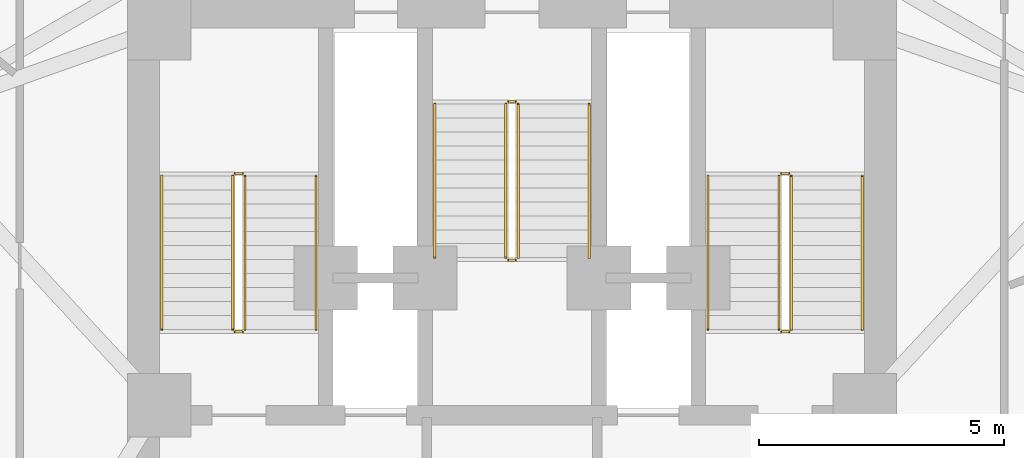
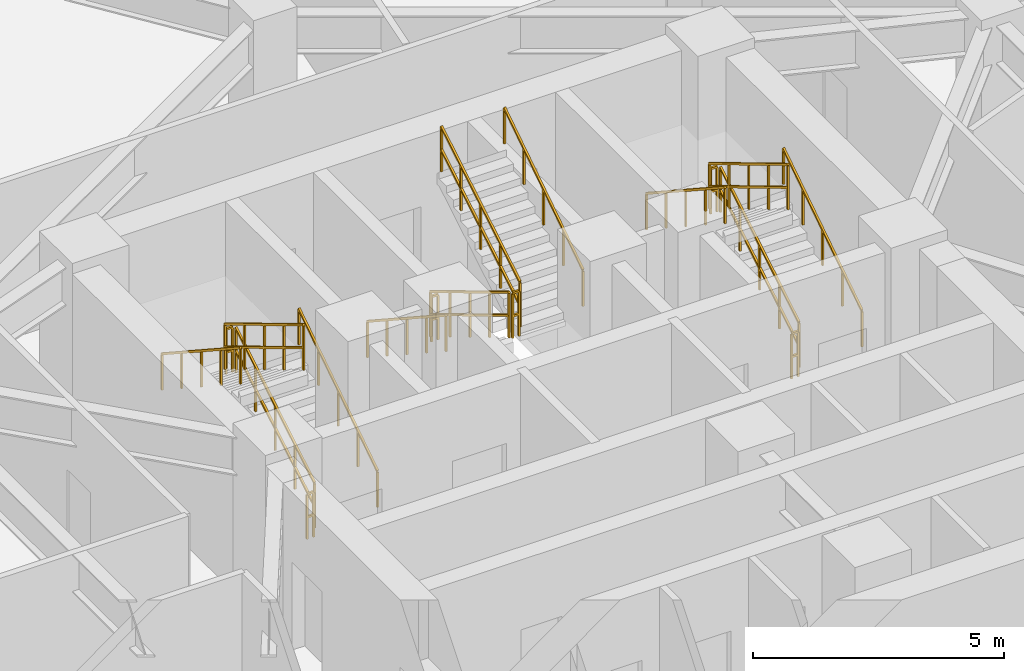
# One storey, part 10 of 11: 18 railings.
"""IFC4 building model written with IfcOpenShell, lengths in metres."""

import ifcopenshell
import ifcopenshell.guid

model = None  # the IFC model being written
_history = None  # IfcOwnerHistory: only IFC2X3 demands one
_inside = {}  # id of a spatial element -> (the spatial element, [elements in it])
_under = {}  # id of a project, library or spatial element -> (it, [spatial elements below it])
_declared = {}  # id of a project -> (the project, [libraries it declares])
_typed = {}  # id of a type object -> (the type object, [elements of that type])
_made_of = {}  # id of a material, layer set ... -> (it, [elements and type objects made of it])


def new_model(schema):
    """Start an empty IFC model of exactly this schema.

    Asked for "IFC4X3", IfcOpenShell would pick the latest addendum, in which some entities
    have other attributes; the version numbers below select the first issue.
    IFC2X3 requires an IfcOwnerHistory on every rooted entity: one is made here for all.
    """
    global model, _history
    if schema == "IFC4X3":
        model = ifcopenshell.file(schema_version=(4, 3, 0, 0))
    else:
        model = ifcopenshell.file(schema=schema)
    _inside.clear()
    _under.clear()
    _declared.clear()
    _typed.clear()
    _made_of.clear()
    _history = None
    if model.schema == "IFC2X3":
        org = make("IfcOrganization", Name="unknown")
        user = make(
            "IfcPersonAndOrganization",
            ThePerson=make("IfcPerson", FamilyName="unknown"),
            TheOrganization=org,
        )
        app = make(
            "IfcApplication",
            ApplicationDeveloper=org,
            Version="unknown",
            ApplicationFullName="unknown",
            ApplicationIdentifier="unknown",
        )
        _history = make(
            "IfcOwnerHistory",
            OwningUser=user,
            OwningApplication=app,
            ChangeAction="ADDED",
            CreationDate=0,
        )
    return model


def make(cls, **values):
    """One entity of the class cls with the attributes given. An attribute that is None is left unset."""
    return model.create_entity(
        cls, **{name: value for name, value in values.items() if value is not None}
    )


def rooted(cls, **values):
    """An entity with a GlobalId (a new one), such as an element, a storey or a relation."""
    return make(cls, GlobalId=ifcopenshell.guid.new(), OwnerHistory=_history, **values)


def si_unit(unit_type, name, prefix=None):
    """IfcSIUnit, for example si_unit("LENGTHUNIT", "METRE", prefix="MILLI")."""
    return make("IfcSIUnit", UnitType=unit_type, Prefix=prefix, Name=name)


def assignment(units):
    """IfcUnitAssignment: the units of a project."""
    return None if units is None else make("IfcUnitAssignment", Units=units)


def point(xyz):
    """IfcCartesianPoint."""
    return None if xyz is None else make("IfcCartesianPoint", Coordinates=xyz)


def direction(xyz):
    """IfcDirection."""
    return None if xyz is None else make("IfcDirection", DirectionRatios=xyz)


def frame(location, z_axis=None, x_axis=None):
    """IfcAxis2Placement3D, a coordinate frame: its origin and axes. An axis left out is left unset."""
    return make(
        "IfcAxis2Placement3D",
        Location=point(location),
        Axis=direction(z_axis),
        RefDirection=direction(x_axis),
    )


def frame_2d(location, x_axis=None):
    """IfcAxis2Placement2D, a coordinate frame in the plane: its origin and x axis."""
    return make(
        "IfcAxis2Placement2D", Location=point(location), RefDirection=direction(x_axis)
    )


def origin():
    """The frame at (0, 0, 0) with its axes left unset."""
    return frame((0.0, 0.0, 0.0))


def origin_2d():
    """The frame at (0, 0) in the plane with its x axis left unset."""
    return frame_2d((0.0, 0.0))


def place(relative_to, where):
    """IfcLocalPlacement: puts the frame where relative to a parent placement (None: the world)."""
    return make(
        "IfcLocalPlacement", PlacementRelTo=relative_to, RelativePlacement=where
    )


def context(
    kind, dimensions, precision=None, world=None, true_north=None, identifier=None
):
    """IfcGeometricRepresentationContext, for example the 3D "Model" context."""
    return make(
        "IfcGeometricRepresentationContext",
        ContextIdentifier=identifier,
        ContextType=kind,
        CoordinateSpaceDimension=dimensions,
        Precision=precision,
        WorldCoordinateSystem=world,
        TrueNorth=true_north,
    )


def subcontext(parent, identifier, kind, view, scale=None):
    """IfcGeometricRepresentationSubContext, for example "Body" below "Model"."""
    return make(
        "IfcGeometricRepresentationSubContext",
        ContextIdentifier=identifier,
        ContextType=kind,
        ParentContext=parent,
        TargetScale=scale,
        TargetView=view,
    )


def project(units=None, contexts=None):
    """IfcProject with its units and contexts."""
    return rooted(
        "IfcProject",
        Name="project",
        RepresentationContexts=contexts,
        UnitsInContext=assignment(units),
    )


def spatial(cls, under=None, at=None, **own):
    """A site, building, storey or space (cls), placed at a placement, below another one or the project."""
    s = rooted(cls, ObjectPlacement=at, **own)
    if under is not None:
        _under.setdefault(under.id(), (under, []))[1].append(s)
    return s


def profile(cls, at=None, kind="AREA", **sizes):
    """A parametric profile (cls). Its sizes go by their IFC names, for example OverallWidth=200.0."""
    return make(cls, ProfileType=kind, Position=at, **sizes)


def rectangle(**sizes):
    """IfcRectangleProfileDef."""
    return profile("IfcRectangleProfileDef", **sizes)


def extrude(swept, where, along, depth):
    """IfcExtrudedAreaSolid: the profile swept, set in the frame where, extruded along a direction by depth."""
    return make(
        "IfcExtrudedAreaSolid",
        SweptArea=swept,
        Position=where,
        ExtrudedDirection=direction(along),
        Depth=depth,
    )


def shape(context_of_items, identifier, shape_type, items):
    """IfcShapeRepresentation: the items that make up one representation, for example the "Body"."""
    return make(
        "IfcShapeRepresentation",
        ContextOfItems=context_of_items,
        RepresentationIdentifier=identifier,
        RepresentationType=shape_type,
        Items=items,
    )


def material(Name=None, Category=None):
    """IfcMaterial."""
    return make("IfcMaterial", Name=Name, Category=Category)


def made_of(thing, what):
    """Note that an element or type object is made of a material, layer set ...; save() writes the relation."""
    if what is not None:
        _made_of.setdefault(what.id(), (what, []))[1].append(thing)
    return thing


def type_object(cls, material=None, **own):
    """A type object (cls), such as IfcWallType, which elements share."""
    return made_of(rooted(cls, **own), material)


def element(
    cls,
    number,
    at=None,
    inside=None,
    cuts=None,
    type_object=None,
    material=None,
    context=None,
    identifier="Body",
    shape_type=None,
    held_by="IfcProductDefinitionShape",
    body=None,
    shapes=None,
    **own,
):
    """One element of the class cls, such as IfcWall. Its Tag is "e" and its number.

    at: its placement. inside: the storey or other place that contains it. cuts: it is an
    opening in that element (IfcRelVoidsElement). A single representation is given by context,
    identifier, shape_type and body (its items); several are given by shapes. held_by: the class
    of the entity that holds the representations. save() writes the other relations.
    """
    e = rooted(cls, Tag="e%d" % number, ObjectPlacement=at, **own)
    if body is not None:
        shapes = [shape(context, identifier, shape_type, body)]
    if shapes is not None:
        e.Representation = make(held_by, Representations=shapes)
    if inside is not None:
        _inside.setdefault(inside.id(), (inside, []))[1].append(e)
    if cuts is not None:
        rooted(
            "IfcRelVoidsElement", RelatingBuildingElement=cuts, RelatedOpeningElement=e
        )
    if type_object is not None:
        _typed.setdefault(type_object.id(), (type_object, []))[1].append(e)
    return made_of(e, material)


def aggregate(whole, parts):
    """IfcRelAggregates: a whole, such as a stair, and the parts it consists of."""
    return rooted("IfcRelAggregates", RelatingObject=whole, RelatedObjects=parts)


def save(model, path):
    """Write the relations noted so far, then the file.

    IfcRelAggregates (storeys below a building ...), IfcRelContainedInSpatialStructure (elements
    in a storey), IfcRelDefinesByType, IfcRelAssociatesMaterial and IfcRelDeclares: one each for
    every whole, place, type object, material and project.
    """
    for whole, parts in _under.values():
        aggregate(whole, parts)
    for where, things in _inside.values():
        rooted(
            "IfcRelContainedInSpatialStructure",
            RelatedElements=things,
            RelatingStructure=where,
        )
    for kind, things in _typed.values():
        rooted("IfcRelDefinesByType", RelatedObjects=things, RelatingType=kind)
    for what, things in _made_of.values():
        rooted("IfcRelAssociatesMaterial", RelatedObjects=things, RelatingMaterial=what)
    for by, libraries in _declared.values():
        rooted("IfcRelDeclares", RelatingContext=by, RelatedDefinitions=libraries)
    model.write(path)


model = new_model("IFC4")

# Units and contexts
model_context = context("Model", 3, precision=1e-05, world=origin(), true_north=direction((0.0, 1.0)))
body_context = subcontext(model_context, "Body", "Model", "MODEL_VIEW")
ifc_project = project(units=[si_unit("LENGTHUNIT", "METRE"), si_unit("AREAUNIT", "SQUARE_METRE"), si_unit("VOLUMEUNIT", "CUBIC_METRE"), si_unit("PLANEANGLEUNIT", "RADIAN"), si_unit("MASSUNIT", "GRAM", prefix="KILO")], contexts=[model_context])

# Site, building, storey
site_placement = place(None, origin())
site = spatial("IfcSite", under=ifc_project, at=site_placement, CompositionType="ELEMENT")
building_placement = place(site_placement, origin())
building = spatial("IfcBuilding", under=site, at=building_placement, Name="Apsidion Concourse Tower", CompositionType="ELEMENT")
storey_placement = place(building_placement, frame((0.0, 0.0, 186.0)))
storey = spatial("IfcBuildingStorey", under=building, at=storey_placement, Name="L43", CompositionType="ELEMENT", Elevation=186.0)

# Railings
ifc_material = material(Name="Brushed stainless steel 316", Category="steel")
railing_type_1 = type_object("IfcRailingType", Name="RL-GUARD-1100", PredefinedType="GUARDRAIL", material=ifc_material)
railing_1_placement = place(storey_placement, frame((-5.449951171875, 3.0, 0.1708984375)))
element("IfcRailing", 1, at=railing_1_placement, inside=storey, type_object=railing_type_1, Name="L43 ST1 stair guard 1", PredefinedType="GUARDRAIL", context=body_context, shape_type="SweptSolid", body=[
    extrude(rectangle(XDim=0.048095703125, YDim=0.048095703125, at=origin_2d()), frame((0.0, 0.0, 1.09619140625), z_axis=(0.0, 0.857716804754, 0.514122439544), x_axis=(-1.0, 0.0, 0.0)), (0.0, 0.0, 1.0), 3.655029296875),
    extrude(rectangle(XDim=0.048095703125, YDim=0.048095703125, at=origin_2d()), frame((0.0, 0.0, 0.5361328125), z_axis=(0.0, 0.857716804754, 0.514122439544), x_axis=(-1.0, 0.0, 0.0)), (0.0, 0.0, 1.0), 3.655029296875),
    extrude(rectangle(XDim=0.0419921875, YDim=0.0419921875, at=origin_2d()), origin(), (0.0, 0.0, 1.0), 1.072021484375),
    extrude(rectangle(XDim=0.0419921875, YDim=0.0419921875, at=origin_2d()), frame((0.0, 0.78369140625, 0.4697265625)), (0.0, 0.0, 1.0), 1.072021484375),
    extrude(rectangle(XDim=0.0419921875, YDim=0.0419921875, at=origin_2d()), frame((0.0, 1.5673828125, 0.939453125)), (0.0, 0.0, 1.0), 1.072021484375),
    extrude(rectangle(XDim=0.0419921875, YDim=0.0419921875, at=origin_2d()), frame((0.0, 2.351318359375, 1.409423828125)), (0.0, 0.0, 1.0), 1.072021484375),
    extrude(rectangle(XDim=0.0419921875, YDim=0.0419921875, at=origin_2d()), frame((0.0, 3.135009765625, 1.879150390625)), (0.0, 0.0, 1.0), 1.072021484375),
])
railing_2_placement = place(storey_placement, frame((-5.5, 6.18505859375, 2.050048828125)))
element("IfcRailing", 2, at=railing_2_placement, inside=storey, type_object=railing_type_1, Name="L43 ST1 stair guard 2", PredefinedType="GUARDRAIL", context=body_context, shape_type="SweptSolid", body=[
    extrude(rectangle(XDim=0.048095703125, YDim=0.048095703125, at=origin_2d()), frame((0.0, 0.0, 1.09619140625), z_axis=(-1.0, 0.0, 0.0), x_axis=(0.0, -1.0, 0.0)), (0.0, 0.0, 1.0), 0.14990234375),
    extrude(rectangle(XDim=0.048095703125, YDim=0.048095703125, at=origin_2d()), frame((0.0, 0.0, 0.5361328125), z_axis=(-1.0, 0.0, 0.0), x_axis=(0.0, -1.0, 0.0)), (0.0, 0.0, 1.0), 0.14990234375),
    extrude(rectangle(XDim=0.0419921875, YDim=0.0419921875, at=origin_2d()), origin(), (0.0, 0.0, 1.0), 1.072021484375),
    extrude(rectangle(XDim=0.0419921875, YDim=0.0419921875, at=origin_2d()), frame((-0.14990234375, 0.0, 0.0)), (0.0, 0.0, 1.0), 1.072021484375),
])
railing_3_placement = place(storey_placement, frame((-5.699951171875, 6.135009765625, 2.220947265625)))
element("IfcRailing", 3, at=railing_3_placement, inside=storey, type_object=railing_type_1, Name="L43 ST1 stair guard 3", PredefinedType="GUARDRAIL", context=body_context, shape_type="SweptSolid", body=[
    extrude(rectangle(XDim=0.048095703125, YDim=0.048095703125, at=origin_2d()), frame((0.0, 0.0, 1.09619140625), z_axis=(0.0, -0.857716804754, 0.514122439544), x_axis=(1.0, 0.0, 0.0)), (0.0, 0.0, 1.0), 3.655029296875),
    extrude(rectangle(XDim=0.048095703125, YDim=0.048095703125, at=origin_2d()), frame((0.0, 0.0, 0.5361328125), z_axis=(0.0, -0.857716804754, 0.514122439544), x_axis=(1.0, 0.0, 0.0)), (0.0, 0.0, 1.0), 3.655029296875),
    extrude(rectangle(XDim=0.0419921875, YDim=0.0419921875, at=origin_2d()), origin(), (0.0, 0.0, 1.0), 1.072021484375),
    extrude(rectangle(XDim=0.0419921875, YDim=0.0419921875, at=origin_2d()), frame((0.0, -0.78369140625, 0.4697265625)), (0.0, 0.0, 1.0), 1.072021484375),
    extrude(rectangle(XDim=0.0419921875, YDim=0.0419921875, at=origin_2d()), frame((0.0, -1.5673828125, 0.939453125)), (0.0, 0.0, 1.0), 1.072021484375),
    extrude(rectangle(XDim=0.0419921875, YDim=0.0419921875, at=origin_2d()), frame((0.0, -2.351318359375, 1.409423828125)), (0.0, 0.0, 1.0), 1.072021484375),
    extrude(rectangle(XDim=0.0419921875, YDim=0.0419921875, at=origin_2d()), frame((0.0, -3.135009765625, 1.879150390625)), (0.0, 0.0, 1.0), 1.072021484375),
])
railing_4_placement = place(storey_placement, frame((-5.5, 2.949951171875, 0.0)))
element("IfcRailing", 4, at=railing_4_placement, inside=storey, type_object=railing_type_1, Name="L43 ST1 stair guard 4", PredefinedType="GUARDRAIL", context=body_context, shape_type="SweptSolid", body=[
    extrude(rectangle(XDim=0.048095703125, YDim=0.048095703125, at=origin_2d()), frame((0.0, 0.0, 1.09619140625), z_axis=(-1.0, 0.0, 0.0), x_axis=(0.0, -1.0, 0.0)), (0.0, 0.0, 1.0), 0.14990234375),
    extrude(rectangle(XDim=0.048095703125, YDim=0.048095703125, at=origin_2d()), frame((0.0, 0.0, 0.5361328125), z_axis=(-1.0, 0.0, 0.0), x_axis=(0.0, -1.0, 0.0)), (0.0, 0.0, 1.0), 0.14990234375),
    extrude(rectangle(XDim=0.0419921875, YDim=0.0419921875, at=origin_2d()), origin(), (0.0, 0.0, 1.0), 1.072021484375),
    extrude(rectangle(XDim=0.0419921875, YDim=0.0419921875, at=origin_2d()), frame((-0.14990234375, 0.0, 0.0)), (0.0, 0.0, 1.0), 1.072021484375),
])
railing_5_placement = place(storey_placement, frame((5.699951171875, 3.0, 0.1708984375)))
element("IfcRailing", 5, at=railing_5_placement, inside=storey, type_object=railing_type_1, Name="L43 ST2 stair guard 1", PredefinedType="GUARDRAIL", context=body_context, shape_type="SweptSolid", body=[
    extrude(rectangle(XDim=0.048095703125, YDim=0.048095703125, at=origin_2d()), frame((0.0, 0.0, 1.09619140625), z_axis=(0.0, 0.857716804754, 0.514122439544), x_axis=(-1.0, 0.0, 0.0)), (0.0, 0.0, 1.0), 3.655029296875),
    extrude(rectangle(XDim=0.048095703125, YDim=0.048095703125, at=origin_2d()), frame((0.0, 0.0, 0.5361328125), z_axis=(0.0, 0.857716804754, 0.514122439544), x_axis=(-1.0, 0.0, 0.0)), (0.0, 0.0, 1.0), 3.655029296875),
    extrude(rectangle(XDim=0.0419921875, YDim=0.0419921875, at=origin_2d()), origin(), (0.0, 0.0, 1.0), 1.072021484375),
    extrude(rectangle(XDim=0.0419921875, YDim=0.0419921875, at=origin_2d()), frame((0.0, 0.78369140625, 0.4697265625)), (0.0, 0.0, 1.0), 1.072021484375),
    extrude(rectangle(XDim=0.0419921875, YDim=0.0419921875, at=origin_2d()), frame((0.0, 1.5673828125, 0.939453125)), (0.0, 0.0, 1.0), 1.072021484375),
    extrude(rectangle(XDim=0.0419921875, YDim=0.0419921875, at=origin_2d()), frame((0.0, 2.351318359375, 1.409423828125)), (0.0, 0.0, 1.0), 1.072021484375),
    extrude(rectangle(XDim=0.0419921875, YDim=0.0419921875, at=origin_2d()), frame((0.0, 3.135009765625, 1.879150390625)), (0.0, 0.0, 1.0), 1.072021484375),
])
railing_6_placement = place(storey_placement, frame((5.64990234375, 6.18505859375, 2.050048828125)))
element("IfcRailing", 6, at=railing_6_placement, inside=storey, type_object=railing_type_1, Name="L43 ST2 stair guard 2", PredefinedType="GUARDRAIL", context=body_context, shape_type="SweptSolid", body=[
    extrude(rectangle(XDim=0.048095703125, YDim=0.048095703125, at=origin_2d()), frame((0.0, 0.0, 1.09619140625), z_axis=(-1.0, 0.0, 0.0), x_axis=(0.0, -1.0, 0.0)), (0.0, 0.0, 1.0), 0.14990234375),
    extrude(rectangle(XDim=0.048095703125, YDim=0.048095703125, at=origin_2d()), frame((0.0, 0.0, 0.5361328125), z_axis=(-1.0, 0.0, 0.0), x_axis=(0.0, -1.0, 0.0)), (0.0, 0.0, 1.0), 0.14990234375),
    extrude(rectangle(XDim=0.0419921875, YDim=0.0419921875, at=origin_2d()), origin(), (0.0, 0.0, 1.0), 1.072021484375),
    extrude(rectangle(XDim=0.0419921875, YDim=0.0419921875, at=origin_2d()), frame((-0.14990234375, 0.0, 0.0)), (0.0, 0.0, 1.0), 1.072021484375),
])
railing_7_placement = place(storey_placement, frame((5.449951171875, 6.135009765625, 2.220947265625)))
element("IfcRailing", 7, at=railing_7_placement, inside=storey, type_object=railing_type_1, Name="L43 ST2 stair guard 3", PredefinedType="GUARDRAIL", context=body_context, shape_type="SweptSolid", body=[
    extrude(rectangle(XDim=0.048095703125, YDim=0.048095703125, at=origin_2d()), frame((0.0, 0.0, 1.09619140625), z_axis=(0.0, -0.857716804754, 0.514122439544), x_axis=(1.0, 0.0, 0.0)), (0.0, 0.0, 1.0), 3.655029296875),
    extrude(rectangle(XDim=0.048095703125, YDim=0.048095703125, at=origin_2d()), frame((0.0, 0.0, 0.5361328125), z_axis=(0.0, -0.857716804754, 0.514122439544), x_axis=(1.0, 0.0, 0.0)), (0.0, 0.0, 1.0), 3.655029296875),
    extrude(rectangle(XDim=0.0419921875, YDim=0.0419921875, at=origin_2d()), origin(), (0.0, 0.0, 1.0), 1.072021484375),
    extrude(rectangle(XDim=0.0419921875, YDim=0.0419921875, at=origin_2d()), frame((0.0, -0.78369140625, 0.4697265625)), (0.0, 0.0, 1.0), 1.072021484375),
    extrude(rectangle(XDim=0.0419921875, YDim=0.0419921875, at=origin_2d()), frame((0.0, -1.5673828125, 0.939453125)), (0.0, 0.0, 1.0), 1.072021484375),
    extrude(rectangle(XDim=0.0419921875, YDim=0.0419921875, at=origin_2d()), frame((0.0, -2.351318359375, 1.409423828125)), (0.0, 0.0, 1.0), 1.072021484375),
    extrude(rectangle(XDim=0.0419921875, YDim=0.0419921875, at=origin_2d()), frame((0.0, -3.135009765625, 1.879150390625)), (0.0, 0.0, 1.0), 1.072021484375),
])
railing_8_placement = place(storey_placement, frame((5.64990234375, 2.949951171875, 0.0)))
element("IfcRailing", 8, at=railing_8_placement, inside=storey, type_object=railing_type_1, Name="L43 ST2 stair guard 4", PredefinedType="GUARDRAIL", context=body_context, shape_type="SweptSolid", body=[
    extrude(rectangle(XDim=0.048095703125, YDim=0.048095703125, at=origin_2d()), frame((0.0, 0.0, 1.09619140625), z_axis=(-1.0, 0.0, 0.0), x_axis=(0.0, -1.0, 0.0)), (0.0, 0.0, 1.0), 0.14990234375),
    extrude(rectangle(XDim=0.048095703125, YDim=0.048095703125, at=origin_2d()), frame((0.0, 0.0, 0.5361328125), z_axis=(-1.0, 0.0, 0.0), x_axis=(0.0, -1.0, 0.0)), (0.0, 0.0, 1.0), 0.14990234375),
    extrude(rectangle(XDim=0.0419921875, YDim=0.0419921875, at=origin_2d()), origin(), (0.0, 0.0, 1.0), 1.072021484375),
    extrude(rectangle(XDim=0.0419921875, YDim=0.0419921875, at=origin_2d()), frame((-0.14990234375, 0.0, 0.0)), (0.0, 0.0, 1.0), 1.072021484375),
])
railing_9_placement = place(storey_placement, frame((-0.125, 7.60009765625, 0.1708984375)))
element("IfcRailing", 9, at=railing_9_placement, inside=storey, type_object=railing_type_1, Name="L43 ST3 stair guard 1", PredefinedType="GUARDRAIL", context=body_context, shape_type="SweptSolid", body=[
    extrude(rectangle(XDim=0.048095703125, YDim=0.048095703125, at=origin_2d()), frame((0.0, 0.0, 1.09619140625), z_axis=(0.0, -0.857716804754, 0.514122439544), x_axis=(1.0, 0.0, 0.0)), (0.0, 0.0, 1.0), 3.655029296875),
    extrude(rectangle(XDim=0.048095703125, YDim=0.048095703125, at=origin_2d()), frame((0.0, 0.0, 0.5361328125), z_axis=(0.0, -0.857716804754, 0.514122439544), x_axis=(1.0, 0.0, 0.0)), (0.0, 0.0, 1.0), 3.655029296875),
    extrude(rectangle(XDim=0.0419921875, YDim=0.0419921875, at=origin_2d()), origin(), (0.0, 0.0, 1.0), 1.072021484375),
    extrude(rectangle(XDim=0.0419921875, YDim=0.0419921875, at=origin_2d()), frame((0.0, -0.78369140625, 0.4697265625)), (0.0, 0.0, 1.0), 1.072021484375),
    extrude(rectangle(XDim=0.0419921875, YDim=0.0419921875, at=origin_2d()), frame((0.0, -1.5673828125, 0.939453125)), (0.0, 0.0, 1.0), 1.072021484375),
    extrude(rectangle(XDim=0.0419921875, YDim=0.0419921875, at=origin_2d()), frame((0.0, -2.351318359375, 1.409423828125)), (0.0, 0.0, 1.0), 1.072021484375),
    extrude(rectangle(XDim=0.0419921875, YDim=0.0419921875, at=origin_2d()), frame((0.0, -3.135009765625, 1.879150390625)), (0.0, 0.0, 1.0), 1.072021484375),
])
railing_10_placement = place(storey_placement, frame((-0.074951171875, 4.4150390625, 2.050048828125)))
element("IfcRailing", 10, at=railing_10_placement, inside=storey, type_object=railing_type_1, Name="L43 ST3 stair guard 2", PredefinedType="GUARDRAIL", context=body_context, shape_type="SweptSolid", body=[
    extrude(rectangle(XDim=0.048095703125, YDim=0.048095703125, at=origin_2d()), frame((0.0, 0.0, 1.09619140625), z_axis=(1.0, 0.0, 0.0), x_axis=(0.0, 1.0, 0.0)), (0.0, 0.0, 1.0), 0.14990234375),
    extrude(rectangle(XDim=0.048095703125, YDim=0.048095703125, at=origin_2d()), frame((0.0, 0.0, 0.5361328125), z_axis=(1.0, 0.0, 0.0), x_axis=(0.0, 1.0, 0.0)), (0.0, 0.0, 1.0), 0.14990234375),
    extrude(rectangle(XDim=0.0419921875, YDim=0.0419921875, at=origin_2d()), origin(), (0.0, 0.0, 1.0), 1.072021484375),
    extrude(rectangle(XDim=0.0419921875, YDim=0.0419921875, at=origin_2d()), frame((0.14990234375, 0.0, 0.0)), (0.0, 0.0, 1.0), 1.072021484375),
])
railing_11_placement = place(storey_placement, frame((0.125, 4.465087890625, 2.220947265625)))
element("IfcRailing", 11, at=railing_11_placement, inside=storey, type_object=railing_type_1, Name="L43 ST3 stair guard 3", PredefinedType="GUARDRAIL", context=body_context, shape_type="SweptSolid", body=[
    extrude(rectangle(XDim=0.048095703125, YDim=0.048095703125, at=origin_2d()), frame((0.0, 0.0, 1.09619140625), z_axis=(0.0, 0.857716804754, 0.514122439544), x_axis=(-1.0, 0.0, 0.0)), (0.0, 0.0, 1.0), 3.655029296875),
    extrude(rectangle(XDim=0.048095703125, YDim=0.048095703125, at=origin_2d()), frame((0.0, 0.0, 0.5361328125), z_axis=(0.0, 0.857716804754, 0.514122439544), x_axis=(-1.0, 0.0, 0.0)), (0.0, 0.0, 1.0), 3.655029296875),
    extrude(rectangle(XDim=0.0419921875, YDim=0.0419921875, at=origin_2d()), origin(), (0.0, 0.0, 1.0), 1.072021484375),
    extrude(rectangle(XDim=0.0419921875, YDim=0.0419921875, at=origin_2d()), frame((0.0, 0.78369140625, 0.4697265625)), (0.0, 0.0, 1.0), 1.072021484375),
    extrude(rectangle(XDim=0.0419921875, YDim=0.0419921875, at=origin_2d()), frame((0.0, 1.5673828125, 0.939453125)), (0.0, 0.0, 1.0), 1.072021484375),
    extrude(rectangle(XDim=0.0419921875, YDim=0.0419921875, at=origin_2d()), frame((0.0, 2.351318359375, 1.409423828125)), (0.0, 0.0, 1.0), 1.072021484375),
    extrude(rectangle(XDim=0.0419921875, YDim=0.0419921875, at=origin_2d()), frame((0.0, 3.135009765625, 1.879150390625)), (0.0, 0.0, 1.0), 1.072021484375),
])
railing_12_placement = place(storey_placement, frame((-0.074951171875, 7.64990234375, 0.0)))
element("IfcRailing", 12, at=railing_12_placement, inside=storey, type_object=railing_type_1, Name="L43 ST3 stair guard 4", PredefinedType="GUARDRAIL", context=body_context, shape_type="SweptSolid", body=[
    extrude(rectangle(XDim=0.048095703125, YDim=0.048095703125, at=origin_2d()), frame((0.0, 0.0, 1.09619140625), z_axis=(1.0, 0.0, 0.0), x_axis=(0.0, 1.0, 0.0)), (0.0, 0.0, 1.0), 0.14990234375),
    extrude(rectangle(XDim=0.048095703125, YDim=0.048095703125, at=origin_2d()), frame((0.0, 0.0, 0.5361328125), z_axis=(1.0, 0.0, 0.0), x_axis=(0.0, 1.0, 0.0)), (0.0, 0.0, 1.0), 0.14990234375),
    extrude(rectangle(XDim=0.0419921875, YDim=0.0419921875, at=origin_2d()), origin(), (0.0, 0.0, 1.0), 1.072021484375),
    extrude(rectangle(XDim=0.0419921875, YDim=0.0419921875, at=origin_2d()), frame((0.14990234375, 0.0, 0.0)), (0.0, 0.0, 1.0), 1.072021484375),
])
railing_type_2 = type_object("IfcRailingType", Name="RL-HAND-900", PredefinedType="HANDRAIL", material=ifc_material)
railing_13_placement = place(storey_placement, frame((-4.0, 3.0, 0.1708984375)))
element("IfcRailing", 13, at=railing_13_placement, inside=storey, type_object=railing_type_2, Name="L43 ST1 stair handrail 1", PredefinedType="HANDRAIL", context=body_context, shape_type="SweptSolid", body=[
    extrude(rectangle(XDim=0.048095703125, YDim=0.048095703125, at=origin_2d()), frame((0.0, 0.0, 0.8759765625), z_axis=(0.0, 0.836940907821, 0.547293263996), x_axis=(-1.0, 0.0, 0.0)), (0.0, 0.0, 1.0), 3.745849609375),
    extrude(rectangle(XDim=0.0419921875, YDim=0.0419921875, at=origin_2d()), origin(), (0.0, 0.0, 1.0), 0.851806640625),
    extrude(rectangle(XDim=0.0419921875, YDim=0.0419921875, at=origin_2d()), frame((0.0, 0.78369140625, 0.512451171875)), (0.0, 0.0, 1.0), 0.851806640625),
    extrude(rectangle(XDim=0.0419921875, YDim=0.0419921875, at=origin_2d()), frame((0.0, 1.5673828125, 1.02490234375)), (0.0, 0.0, 1.0), 0.851806640625),
    extrude(rectangle(XDim=0.0419921875, YDim=0.0419921875, at=origin_2d()), frame((0.0, 2.351318359375, 1.53759765625)), (0.0, 0.0, 1.0), 0.851806640625),
    extrude(rectangle(XDim=0.0419921875, YDim=0.0419921875, at=origin_2d()), frame((0.0, 3.135009765625, 2.050048828125)), (0.0, 0.0, 1.0), 0.851806640625),
])
railing_14_placement = place(storey_placement, frame((-7.14990234375, 6.135009765625, 2.220947265625)))
element("IfcRailing", 14, at=railing_14_placement, inside=storey, type_object=railing_type_2, Name="L43 ST1 stair handrail 2", PredefinedType="HANDRAIL", context=body_context, shape_type="SweptSolid", body=[
    extrude(rectangle(XDim=0.048095703125, YDim=0.048095703125, at=origin_2d()), frame((0.0, 0.0, 0.8759765625), z_axis=(0.0, -0.836970762213, 0.547247606848), x_axis=(1.0, 0.0, 0.0)), (0.0, 0.0, 1.0), 3.74560546875),
    extrude(rectangle(XDim=0.0419921875, YDim=0.0419921875, at=origin_2d()), origin(), (0.0, 0.0, 1.0), 0.851806640625),
    extrude(rectangle(XDim=0.0419921875, YDim=0.0419921875, at=origin_2d()), frame((0.0, -0.78369140625, 0.512451171875)), (0.0, 0.0, 1.0), 0.851806640625),
    extrude(rectangle(XDim=0.0419921875, YDim=0.0419921875, at=origin_2d()), frame((0.0, -1.5673828125, 1.02490234375)), (0.0, 0.0, 1.0), 0.851806640625),
    extrude(rectangle(XDim=0.0419921875, YDim=0.0419921875, at=origin_2d()), frame((0.0, -2.351318359375, 1.537353515625)), (0.0, 0.0, 1.0), 0.851806640625),
    extrude(rectangle(XDim=0.0419921875, YDim=0.0419921875, at=origin_2d()), frame((0.0, -3.135009765625, 2.0498046875)), (0.0, 0.0, 1.0), 0.851806640625),
])
railing_15_placement = place(storey_placement, frame((7.14990234375, 3.0, 0.1708984375)))
element("IfcRailing", 15, at=railing_15_placement, inside=storey, type_object=railing_type_2, Name="L43 ST2 stair handrail 1", PredefinedType="HANDRAIL", context=body_context, shape_type="SweptSolid", body=[
    extrude(rectangle(XDim=0.048095703125, YDim=0.048095703125, at=origin_2d()), frame((0.0, 0.0, 0.8759765625), z_axis=(0.0, 0.836940907821, 0.547293263996), x_axis=(-1.0, 0.0, 0.0)), (0.0, 0.0, 1.0), 3.745849609375),
    extrude(rectangle(XDim=0.0419921875, YDim=0.0419921875, at=origin_2d()), origin(), (0.0, 0.0, 1.0), 0.851806640625),
    extrude(rectangle(XDim=0.0419921875, YDim=0.0419921875, at=origin_2d()), frame((0.0, 0.78369140625, 0.512451171875)), (0.0, 0.0, 1.0), 0.851806640625),
    extrude(rectangle(XDim=0.0419921875, YDim=0.0419921875, at=origin_2d()), frame((0.0, 1.5673828125, 1.02490234375)), (0.0, 0.0, 1.0), 0.851806640625),
    extrude(rectangle(XDim=0.0419921875, YDim=0.0419921875, at=origin_2d()), frame((0.0, 2.351318359375, 1.53759765625)), (0.0, 0.0, 1.0), 0.851806640625),
    extrude(rectangle(XDim=0.0419921875, YDim=0.0419921875, at=origin_2d()), frame((0.0, 3.135009765625, 2.050048828125)), (0.0, 0.0, 1.0), 0.851806640625),
])
railing_16_placement = place(storey_placement, frame((4.0, 6.135009765625, 2.220947265625)))
element("IfcRailing", 16, at=railing_16_placement, inside=storey, type_object=railing_type_2, Name="L43 ST2 stair handrail 2", PredefinedType="HANDRAIL", context=body_context, shape_type="SweptSolid", body=[
    extrude(rectangle(XDim=0.048095703125, YDim=0.048095703125, at=origin_2d()), frame((0.0, 0.0, 0.8759765625), z_axis=(0.0, -0.836970762213, 0.547247606848), x_axis=(1.0, 0.0, 0.0)), (0.0, 0.0, 1.0), 3.74560546875),
    extrude(rectangle(XDim=0.0419921875, YDim=0.0419921875, at=origin_2d()), origin(), (0.0, 0.0, 1.0), 0.851806640625),
    extrude(rectangle(XDim=0.0419921875, YDim=0.0419921875, at=origin_2d()), frame((0.0, -0.78369140625, 0.512451171875)), (0.0, 0.0, 1.0), 0.851806640625),
    extrude(rectangle(XDim=0.0419921875, YDim=0.0419921875, at=origin_2d()), frame((0.0, -1.5673828125, 1.02490234375)), (0.0, 0.0, 1.0), 0.851806640625),
    extrude(rectangle(XDim=0.0419921875, YDim=0.0419921875, at=origin_2d()), frame((0.0, -2.351318359375, 1.537353515625)), (0.0, 0.0, 1.0), 0.851806640625),
    extrude(rectangle(XDim=0.0419921875, YDim=0.0419921875, at=origin_2d()), frame((0.0, -3.135009765625, 2.0498046875)), (0.0, 0.0, 1.0), 0.851806640625),
])
railing_17_placement = place(storey_placement, frame((-1.574951171875, 7.60009765625, 0.1708984375)))
element("IfcRailing", 17, at=railing_17_placement, inside=storey, type_object=railing_type_2, Name="L43 ST3 stair handrail 1", PredefinedType="HANDRAIL", context=body_context, shape_type="SweptSolid", body=[
    extrude(rectangle(XDim=0.048095703125, YDim=0.048095703125, at=origin_2d()), frame((0.0, 0.0, 0.8759765625), z_axis=(0.0, -0.836940907821, 0.547293263996), x_axis=(1.0, 0.0, 0.0)), (0.0, 0.0, 1.0), 3.745849609375),
    extrude(rectangle(XDim=0.0419921875, YDim=0.0419921875, at=origin_2d()), origin(), (0.0, 0.0, 1.0), 0.851806640625),
    extrude(rectangle(XDim=0.0419921875, YDim=0.0419921875, at=origin_2d()), frame((0.0, -0.78369140625, 0.512451171875)), (0.0, 0.0, 1.0), 0.851806640625),
    extrude(rectangle(XDim=0.0419921875, YDim=0.0419921875, at=origin_2d()), frame((0.0, -1.5673828125, 1.02490234375)), (0.0, 0.0, 1.0), 0.851806640625),
    extrude(rectangle(XDim=0.0419921875, YDim=0.0419921875, at=origin_2d()), frame((0.0, -2.351318359375, 1.53759765625)), (0.0, 0.0, 1.0), 0.851806640625),
    extrude(rectangle(XDim=0.0419921875, YDim=0.0419921875, at=origin_2d()), frame((0.0, -3.135009765625, 2.050048828125)), (0.0, 0.0, 1.0), 0.851806640625),
])
railing_18_placement = place(storey_placement, frame((1.574951171875, 4.465087890625, 2.220947265625)))
element("IfcRailing", 18, at=railing_18_placement, inside=storey, type_object=railing_type_2, Name="L43 ST3 stair handrail 2", PredefinedType="HANDRAIL", context=body_context, shape_type="SweptSolid", body=[
    extrude(rectangle(XDim=0.048095703125, YDim=0.048095703125, at=origin_2d()), frame((0.0, 0.0, 0.8759765625), z_axis=(0.0, 0.836970762213, 0.547247606848), x_axis=(-1.0, 0.0, 0.0)), (0.0, 0.0, 1.0), 3.74560546875),
    extrude(rectangle(XDim=0.0419921875, YDim=0.0419921875, at=origin_2d()), origin(), (0.0, 0.0, 1.0), 0.851806640625),
    extrude(rectangle(XDim=0.0419921875, YDim=0.0419921875, at=origin_2d()), frame((0.0, 0.78369140625, 0.512451171875)), (0.0, 0.0, 1.0), 0.851806640625),
    extrude(rectangle(XDim=0.0419921875, YDim=0.0419921875, at=origin_2d()), frame((0.0, 1.5673828125, 1.02490234375)), (0.0, 0.0, 1.0), 0.851806640625),
    extrude(rectangle(XDim=0.0419921875, YDim=0.0419921875, at=origin_2d()), frame((0.0, 2.351318359375, 1.537353515625)), (0.0, 0.0, 1.0), 0.851806640625),
    extrude(rectangle(XDim=0.0419921875, YDim=0.0419921875, at=origin_2d()), frame((0.0, 3.135009765625, 2.0498046875)), (0.0, 0.0, 1.0), 0.851806640625),
])

save(model, "model.ifc")
